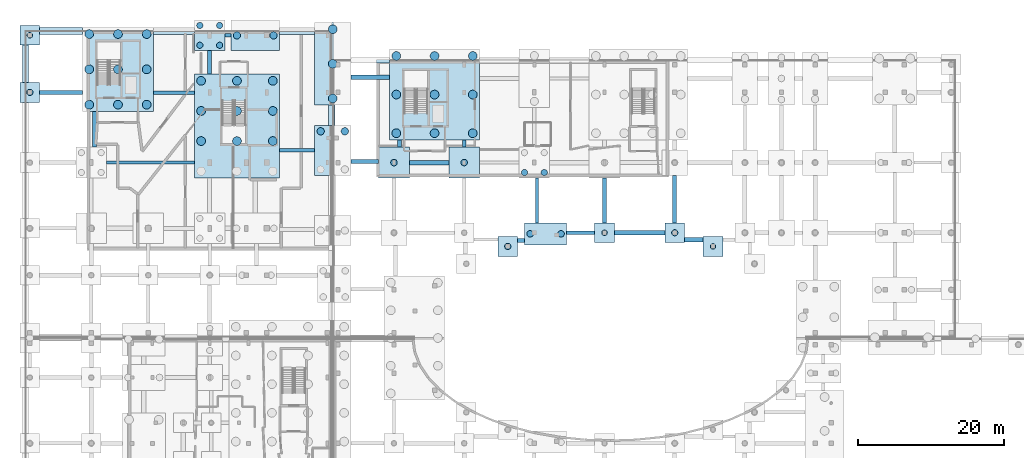
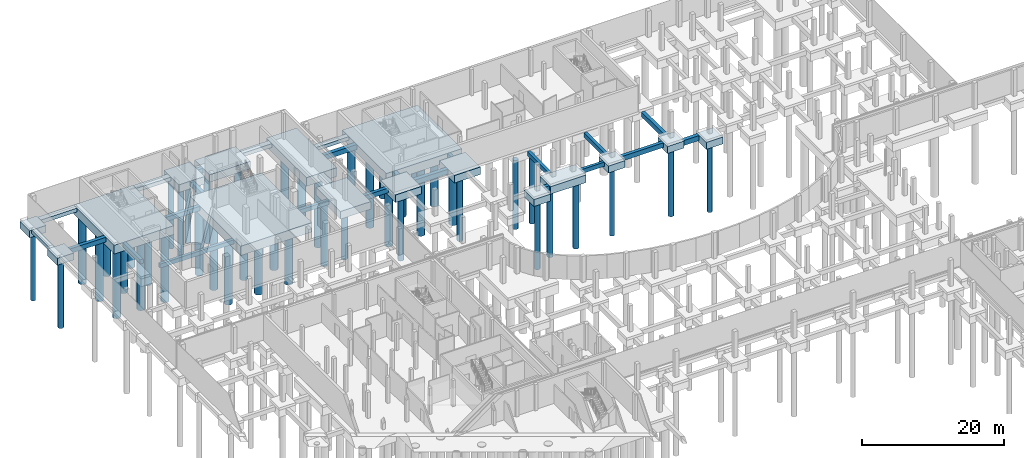
# One storey, part 7 of 40: 50 piles, 41 footings.
"""IFC4 building model written with IfcOpenShell, lengths in metres."""

from ifc_helpers import new_model, si_unit, direction, frame, origin, origin_2d, place, context, subcontext, project, spatial, polyline, circle, outline, extrude, material, material_profile, profile_set, type_object, element, save


model = new_model("IFC4")

# Units and contexts
model_context = context("Model", 3, precision=1e-05, world=origin(), true_north=direction((0.0, 1.0)))
body_context = subcontext(model_context, "Body", "Model", "MODEL_VIEW")
ifc_project = project(units=[si_unit("LENGTHUNIT", "METRE"), si_unit("AREAUNIT", "SQUARE_METRE"), si_unit("VOLUMEUNIT", "CUBIC_METRE"), si_unit("PLANEANGLEUNIT", "RADIAN"), si_unit("MASSUNIT", "GRAM", prefix="KILO")], contexts=[model_context])

# Site, building, storey
site_placement = place(None, origin())
site = spatial("IfcSite", under=ifc_project, at=site_placement, CompositionType="ELEMENT")
building_placement = place(site_placement, origin())
building = spatial("IfcBuilding", under=site, at=building_placement, Name="Mzevani Central Library", CompositionType="ELEMENT")
storey_placement = place(building_placement, frame((0.0, 0.0, -4.5)))
storey = spatial("IfcBuildingStorey", under=building, at=storey_placement, Name="B1", CompositionType="ELEMENT", Elevation=-4.5)

# Piles
ifc_material = material(Name="Concrete C40/50", Category="concrete")
ifc_material_profile_1 = material_profile(ifc_material, circle(Radius=0.5, at=origin_2d()), Name="PILE D1000")
ifc_profile_set_1 = profile_set([ifc_material_profile_1], Name="Concrete C40/50")
pile_type_1 = type_object("IfcPileType", Name="Bored Pile D1000", PredefinedType="BORED", material=ifc_profile_set_1)
for number, where, z_axis, x_axis, name in (
    (1, (32.919921875, 117.39990234375, -1.6201171875), (0.0, 0.0, -1.0), (1.0, 0.0, 0.0), "B1 Bored Pile P-04 (139)"),
    (2, (37.929931640625, 117.39990234375, -1.6201171875), (0.0, 0.0, -1.0), (1.0, 0.0, 0.0), "B1 Bored Pile P-04 (140)"),
    (3, (44.3701171875, 104.280029296875, -1.6201171875), (0.0, 0.0, -1.0), (1.0, 0.0, 0.0), "B1 Bored Pile P-04 (148)"),
    (4, (47.679931640625, 104.280029296875, -1.6201171875), (0.0, 0.0, -1.0), (1.0, 0.0, 0.0), "B1 Bored Pile P-04 (150)"),
):
    element("IfcPile", number, at=place(storey_placement, frame(where, z_axis=z_axis, x_axis=x_axis)), inside=storey, type_object=pile_type_1, Name=name, PredefinedType="BORED", context=body_context, shape_type="SweptSolid", body=[
        extrude(circle(Radius=0.5, at=origin_2d()), origin(), (0.0, 0.0, 1.0), 11.8798828125),
    ])
ifc_material_profile_2 = material_profile(ifc_material, circle(Radius=0.60009765625, at=origin_2d()), Name="PILE D1200")
ifc_profile_set_2 = profile_set([ifc_material_profile_2], Name="Concrete C40/50")
pile_type_2 = type_object("IfcPileType", Name="Bored Pile D1200", PredefinedType="BORED", material=ifc_profile_set_2)
for number, where, z_axis, x_axis, name in (
    (5, (28.02001953125, 102.93994140625, -1.919921875), (0.0, 0.0, -1.0), (1.0, 0.0, 0.0), "B1 Bored Pile P-06 (120)"),
    (6, (28.02001953125, 107.06005859375, -1.919921875), (0.0, 0.0, -1.0), (1.0, 0.0, 0.0), "B1 Bored Pile P-06 (121)"),
    (7, (28.02001953125, 111.179931640625, -1.919921875), (0.0, 0.0, -1.0), (1.0, 0.0, 0.0), "B1 Bored Pile P-06 (122)"),
    (8, (32.925048828125, 102.93994140625, -1.919921875), (0.0, 0.0, -1.0), (1.0, 0.0, 0.0), "B1 Bored Pile P-06 (124)"),
    (9, (32.925048828125, 107.06005859375, -1.919921875), (0.0, 0.0, -1.0), (1.0, 0.0, 0.0), "B1 Bored Pile P-06 (125)"),
    (10, (32.925048828125, 111.179931640625, -1.919921875), (0.0, 0.0, -1.0), (1.0, 0.0, 0.0), "B1 Bored Pile P-06 (126)"),
    (11, (37.830078125, 102.93994140625, -1.919921875), (0.0, 0.0, -1.0), (1.0, 0.0, 0.0), "B1 Bored Pile P-06 (128)"),
    (12, (37.830078125, 107.06005859375, -1.919921875), (0.0, 0.0, -1.0), (1.0, 0.0, 0.0), "B1 Bored Pile P-06 (129)"),
    (13, (37.830078125, 111.179931640625, -1.919921875), (0.0, 0.0, -1.0), (1.0, 0.0, 0.0), "B1 Bored Pile P-06 (130)"),
):
    element("IfcPile", number, at=place(storey_placement, frame(where, z_axis=z_axis, x_axis=x_axis)), inside=storey, type_object=pile_type_2, Name=name, PredefinedType="BORED", context=body_context, shape_type="SweptSolid", body=[
        extrude(circle(Radius=0.60009765625, at=origin_2d()), origin(), (0.0, 0.0, 1.0), 11.580078125),
    ])
for number, where, z_axis, x_axis, name in (
    (14, (46.02490234375, 108.77001953125, -1.820068359375), (0.0, 0.0, -1.0), (1.0, 0.0, 0.0), "B1 Bored Pile P-06 (151)"),
    (15, (46.02490234375, 113.5, -1.820068359375), (0.0, 0.0, -1.0), (1.0, 0.0, 0.0), "B1 Bored Pile P-06 (152)"),
    (16, (46.02490234375, 118.22998046875, -1.820068359375), (0.0, 0.0, -1.0), (1.0, 0.0, 0.0), "B1 Bored Pile P-06 (153)"),
    (17, (54.719970703125, 104.02001953125, -1.820068359375), (0.0, 0.0, -1.0), (1.0, 0.0, 0.0), "B1 Bored Pile P-06 (158)"),
    (18, (54.719970703125, 109.300048828125, -1.820068359375), (0.0, 0.0, -1.0), (1.0, 0.0, 0.0), "B1 Bored Pile P-06 (159)"),
    (19, (54.719970703125, 114.580078125, -1.820068359375), (0.0, 0.0, -1.0), (1.0, 0.0, 0.0), "B1 Bored Pile P-06 (160)"),
    (20, (59.949951171875, 104.02001953125, -1.820068359375), (0.0, 0.0, -1.0), (1.0, 0.0, 0.0), "B1 Bored Pile P-06 (161)"),
    (21, (59.949951171875, 109.300048828125, -1.820068359375), (0.0, 0.0, -1.0), (1.0, 0.0, 0.0), "B1 Bored Pile P-06 (162)"),
    (22, (59.949951171875, 114.580078125, -1.820068359375), (0.0, 0.0, -1.0), (1.0, 0.0, 0.0), "B1 Bored Pile P-06 (163)"),
    (23, (65.179931640625, 104.02001953125, -1.820068359375), (0.0, 0.0, -1.0), (1.0, 0.0, 0.0), "B1 Bored Pile P-06 (164)"),
    (24, (65.179931640625, 109.300048828125, -1.820068359375), (0.0, 0.0, -1.0), (1.0, 0.0, 0.0), "B1 Bored Pile P-06 (165)"),
    (25, (65.179931640625, 114.580078125, -1.820068359375), (0.0, 0.0, -1.0), (1.0, 0.0, 0.0), "B1 Bored Pile P-06 (166)"),
    (26, (12.719970703125, 107.919921875, -1.820068359375), (0.0, 0.0, -1.0), (1.0, 0.0, 0.0), "B1 Bored Pile P-06 (358)"),
    (27, (12.719970703125, 112.75, -1.820068359375), (0.0, 0.0, -1.0), (1.0, 0.0, 0.0), "B1 Bored Pile P-06 (359)"),
    (28, (12.719970703125, 117.580078125, -1.820068359375), (0.0, 0.0, -1.0), (1.0, 0.0, 0.0), "B1 Bored Pile P-06 (360)"),
    (29, (16.64990234375, 107.919921875, -1.820068359375), (0.0, 0.0, -1.0), (1.0, 0.0, 0.0), "B1 Bored Pile P-06 (361)"),
    (30, (16.64990234375, 112.75, -1.820068359375), (0.0, 0.0, -1.0), (1.0, 0.0, 0.0), "B1 Bored Pile P-06 (362)"),
    (31, (16.64990234375, 117.580078125, -1.820068359375), (0.0, 0.0, -1.0), (1.0, 0.0, 0.0), "B1 Bored Pile P-06 (363)"),
    (32, (20.580078125, 107.919921875, -1.820068359375), (0.0, 0.0, -1.0), (1.0, 0.0, 0.0), "B1 Bored Pile P-06 (364)"),
    (33, (20.580078125, 112.75, -1.820068359375), (0.0, 0.0, -1.0), (1.0, 0.0, 0.0), "B1 Bored Pile P-06 (365)"),
    (34, (20.580078125, 117.580078125, -1.820068359375), (0.0, 0.0, -1.0), (1.0, 0.0, 0.0), "B1 Bored Pile P-06 (366)"),
):
    element("IfcPile", number, at=place(storey_placement, frame(where, z_axis=z_axis, x_axis=x_axis)), inside=storey, type_object=pile_type_2, Name=name, PredefinedType="BORED", context=body_context, shape_type="SweptSolid", body=[
        extrude(circle(Radius=0.60009765625, at=origin_2d()), origin(), (0.0, 0.0, 1.0), 11.679931640625),
    ])
ifc_material_profile_3 = material_profile(ifc_material, circle(Radius=0.375, at=origin_2d()), Name="PILE D750")
ifc_profile_set_3 = profile_set([ifc_material_profile_3], Name="Concrete C40/50")
pile_type_3 = type_object("IfcPileType", Name="Bored Pile D750", PredefinedType="BORED", material=ifc_profile_set_3)
for number, where, z_axis, x_axis, name in (
    (35, (4.60009765625, 117.39990234375, -1.52001953125), (0.0, 0.0, -1.0), (1.0, 0.0, 0.0), "B1 Bored Pile P-01 (100)"),
    (36, (83.199951171875, 90.39990234375, -1.52001953125), (0.0, 0.0, -1.0), (1.0, 0.0, 0.0), "B1 Bored Pile P-01 (175)"),
    (37, (98.033935546875, 88.528076171875, -1.52001953125), (0.0, 0.0, -1.0), (1.0, 0.0, 0.0), "B1 Bored Pile P-01 (220)"),
):
    element("IfcPile", number, at=place(storey_placement, frame(where, z_axis=z_axis, x_axis=x_axis)), inside=storey, type_object=pile_type_3, Name=name, PredefinedType="BORED", context=body_context, shape_type="SweptSolid", body=[
        extrude(circle(Radius=0.375, at=origin_2d()), origin(), (0.0, 0.0, 1.0), 11.97998046875),
    ])
ifc_material_profile_4 = material_profile(ifc_material, circle(Radius=0.425048828125, at=origin_2d()), Name="PILE D850")
ifc_profile_set_4 = profile_set([ifc_material_profile_4], Name="Concrete C40/50")
pile_type_4 = type_object("IfcPileType", Name="Bored Pile D850", PredefinedType="BORED", material=ifc_profile_set_4)
pile_placement = place(storey_placement, frame((4.60009765625, 109.60009765625, -1.52001953125), z_axis=(0.0, 0.0, -1.0), x_axis=(1.0, 0.0, 0.0)))
element("IfcPile", 38, at=pile_placement, inside=storey, type_object=pile_type_4, Name="B1 Bored Pile P-02 (99)", PredefinedType="BORED", context=body_context, shape_type="SweptSolid", body=[
    extrude(circle(Radius=0.425048828125, at=origin_2d()), origin(), (0.0, 0.0, 1.0), 11.97998046875),
])
for number, where, z_axis, x_axis, name in (
    (39, (27.844970703125, 116.044921875, -1.6201171875), (0.0, 0.0, -1.0), (1.0, 0.0, 0.0), "B1 Bored Pile P-02 (131)"),
    (40, (27.844970703125, 118.7548828125, -1.6201171875), (0.0, 0.0, -1.0), (1.0, 0.0, 0.0), "B1 Bored Pile P-02 (132)"),
    (41, (30.554931640625, 116.044921875, -1.6201171875), (0.0, 0.0, -1.0), (1.0, 0.0, 0.0), "B1 Bored Pile P-02 (133)"),
    (42, (30.554931640625, 118.7548828125, -1.6201171875), (0.0, 0.0, -1.0), (1.0, 0.0, 0.0), "B1 Bored Pile P-02 (134)"),
    (43, (72.2451171875, 98.64501953125, -1.6201171875), (0.0, 0.0, -1.0), (1.0, 0.0, 0.0), "B1 Bored Pile P-02 (169)"),
    (44, (74.955078125, 98.64501953125, -1.6201171875), (0.0, 0.0, -1.0), (1.0, 0.0, 0.0), "B1 Bored Pile P-02 (171)"),
):
    element("IfcPile", number, at=place(storey_placement, frame(where, z_axis=z_axis, x_axis=x_axis)), inside=storey, type_object=pile_type_4, Name=name, PredefinedType="BORED", context=body_context, shape_type="SweptSolid", body=[
        extrude(circle(Radius=0.425048828125, at=origin_2d()), origin(), (0.0, 0.0, 1.0), 11.8798828125),
    ])
for number, where, z_axis, x_axis, name in (
    (45, (92.800048828125, 90.39990234375, -1.52001953125), (0.0, 0.0, -1.0), (1.0, 0.0, 0.0), "B1 Bored Pile P-02 (189)"),
    (46, (69.966064453125, 88.528076171875, -1.52001953125), (0.0, 0.0, -1.0), (1.0, 0.0, 0.0), "B1 Bored Pile P-02 (221)"),
):
    element("IfcPile", number, at=place(storey_placement, frame(where, z_axis=z_axis, x_axis=x_axis)), inside=storey, type_object=pile_type_4, Name=name, PredefinedType="BORED", context=body_context, shape_type="SweptSolid", body=[
        extrude(circle(Radius=0.425048828125, at=origin_2d()), origin(), (0.0, 0.0, 1.0), 11.97998046875),
    ])
ifc_material_profile_5 = material_profile(ifc_material, circle(Radius=0.449951171875, at=origin_2d()), Name="PILE D900")
ifc_profile_set_5 = profile_set([ifc_material_profile_5], Name="Concrete C40/50")
pile_type_5 = type_object("IfcPileType", Name="Bored Pile D900", PredefinedType="BORED", material=ifc_profile_set_5)
for number, where, z_axis, x_axis, name in (
    (47, (54.39990234375, 100.0, -1.6201171875), (0.0, 0.0, -1.0), (1.0, 0.0, 0.0), "B1 Bored Pile P-03 (155)"),
    (48, (64.0, 100.0, -1.6201171875), (0.0, 0.0, -1.0), (1.0, 0.0, 0.0), "B1 Bored Pile P-03 (157)"),
    (49, (73.02001953125, 90.248046875, -1.6201171875), (0.0, 0.0, -1.0), (1.0, 0.0, 0.0), "B1 Bored Pile P-03 (167)"),
    (50, (77.251953125, 90.248046875, -1.6201171875), (0.0, 0.0, -1.0), (1.0, 0.0, 0.0), "B1 Bored Pile P-03 (168)"),
):
    element("IfcPile", number, at=place(storey_placement, frame(where, z_axis=z_axis, x_axis=x_axis)), inside=storey, type_object=pile_type_5, Name=name, PredefinedType="BORED", context=body_context, shape_type="SweptSolid", body=[
        extrude(circle(Radius=0.449951171875, at=origin_2d()), origin(), (0.0, 0.0, 1.0), 11.8798828125),
    ])

# Footings
footing_type_1 = type_object("IfcFootingType", Name="Ground Tie Beam RC 450x700", PredefinedType="FOOTING_BEAM", material=ifc_material)
footing_1_placement = place(storey_placement, frame((0.0, 0.0, -1.1201171875)))
element("IfcFooting", 51, at=footing_1_placement, inside=storey, type_object=footing_type_1, Name="MAT Ground Tie Beam GB-01 (9)", PredefinedType="FOOTING_BEAM", context=body_context, shape_type="SweptSolid", body=[
    extrude(outline(polyline([(15.10009765625, 99.77490234375), (27.10009765625, 99.77490234375), (27.10009765625, 100.22509765625), (15.10009765625, 100.22509765625), (15.10009765625, 99.77490234375)])), origin(), (0.0, 0.0, 1.0), 0.7001953125),
])
footing_2_placement = place(storey_placement, frame((0.0, 0.0, -1.1201171875)))
element("IfcFooting", 52, at=footing_2_placement, inside=storey, type_object=footing_type_1, Name="MAT Ground Tie Beam GB-01 (25)", PredefinedType="FOOTING_BEAM", context=body_context, shape_type="SweptSolid", body=[
    extrude(outline(polyline([(38.75, 101.449951171875), (43.550048828125, 101.449951171875), (43.550048828125, 101.89990234375), (38.75, 101.89990234375), (38.75, 101.449951171875)])), origin(), (0.0, 0.0, 1.0), 0.7001953125),
])
footing_3_placement = place(storey_placement, frame((0.0, 0.0, -1.1201171875)))
element("IfcFooting", 53, at=footing_3_placement, inside=storey, type_object=footing_type_1, Name="MAT Ground Tie Beam GB-01 (61)", PredefinedType="FOOTING_BEAM", context=body_context, shape_type="SweptSolid", body=[
    extrude(outline(polyline([(78.02197265625, 90.175048828125), (81.85009765625, 90.175048828125), (81.85009765625, 90.625), (78.02197265625, 90.625), (78.02197265625, 90.175048828125)])), origin(), (0.0, 0.0, 1.0), 0.7001953125),
])
footing_4_placement = place(storey_placement, frame((0.0, 0.0, -1.1201171875)))
element("IfcFooting", 54, at=footing_4_placement, inside=storey, type_object=footing_type_1, Name="MAT Ground Tie Beam GB-01 (201)", PredefinedType="FOOTING_BEAM", context=body_context, shape_type="SweptSolid", body=[
    extrude(outline(polyline([(73.75, 91.75), (74.199951171875, 91.75), (74.199951171875, 97.89990234375), (73.75, 97.89990234375), (73.75, 91.75)])), origin(), (0.0, 0.0, 1.0), 0.7001953125),
])
footing_5_placement = place(storey_placement, frame((0.0, 0.0, -1.1201171875)))
element("IfcFooting", 55, at=footing_5_placement, inside=storey, type_object=footing_type_1, Name="MAT Ground Tie Beam GB-01 (213)", PredefinedType="FOOTING_BEAM", context=body_context, shape_type="SweptSolid", body=[
    extrude(outline(polyline([(63.77490234375, 102.10009765625), (64.22509765625, 102.10009765625), (64.22509765625, 103.10009765625), (63.77490234375, 103.10009765625), (63.77490234375, 102.10009765625)])), origin(), (0.0, 0.0, 1.0), 0.7001953125),
])
footing_type_2 = type_object("IfcFootingType", Name="Ground Tie Beam RC 500x750", PredefinedType="FOOTING_BEAM", material=ifc_material)
footing_6_placement = place(storey_placement, frame((0.0, 0.0, -1.169921875)))
element("IfcFooting", 56, at=footing_6_placement, inside=storey, type_object=footing_type_2, Name="MAT Ground Tie Beam GB-02 (14)", PredefinedType="FOOTING_BEAM", context=body_context, shape_type="SweptSolid", body=[
    extrude(outline(polyline([(21.5, 109.300048828125), (27.10009765625, 109.300048828125), (27.10009765625, 109.800048828125), (21.5, 109.800048828125), (21.5, 109.300048828125)])), origin(), (0.0, 0.0, 1.0), 0.75),
])
footing_7_placement = place(storey_placement, frame((0.0, 0.0, -1.169921875)))
element("IfcFooting", 57, at=footing_7_placement, inside=storey, type_object=footing_type_2, Name="MAT Ground Tie Beam GB-02 (26)", PredefinedType="FOOTING_BEAM", context=body_context, shape_type="SweptSolid", body=[
    extrude(outline(polyline([(31.300048828125, 117.14990234375), (32.10009765625, 117.14990234375), (32.10009765625, 117.64990234375), (31.300048828125, 117.64990234375), (31.300048828125, 117.14990234375)])), origin(), (0.0, 0.0, 1.0), 0.75),
])
footing_8_placement = place(storey_placement, frame((0.0, 0.0, -1.169921875)))
element("IfcFooting", 58, at=footing_8_placement, inside=storey, type_object=footing_type_2, Name="MAT Ground Tie Beam GB-02 (206)", PredefinedType="FOOTING_BEAM", context=body_context, shape_type="SweptSolid", body=[
    extrude(outline(polyline([(82.949951171875, 91.75), (83.449951171875, 91.75), (83.449951171875, 97.89990234375), (82.949951171875, 97.89990234375), (82.949951171875, 91.75)])), origin(), (0.0, 0.0, 1.0), 0.75),
])
footing_9_placement = place(storey_placement, frame((0.0, 0.0, -1.169921875)))
element("IfcFooting", 59, at=footing_9_placement, inside=storey, type_object=footing_type_2, Name="MAT Ground Tie Beam GB-02 (210)", PredefinedType="FOOTING_BEAM", context=body_context, shape_type="SweptSolid", body=[
    extrude(outline(polyline([(13.199951171875, 102.10009765625), (13.699951171875, 102.10009765625), (13.699951171875, 107.0), (13.199951171875, 107.0), (13.199951171875, 102.10009765625)])), origin(), (0.0, 0.0, 1.0), 0.75),
])
footing_type_3 = type_object("IfcFootingType", Name="Ground Tie Beam RC 550x800", PredefinedType="FOOTING_BEAM", material=ifc_material)
footing_10_placement = place(storey_placement, frame((0.0, 0.0, -1.219970703125)))
element("IfcFooting", 60, at=footing_10_placement, inside=storey, type_object=footing_type_3, Name="MAT Ground Tie Beam GB-03 (7)", PredefinedType="FOOTING_BEAM", context=body_context, shape_type="SweptSolid", body=[
    extrude(outline(polyline([(5.949951171875, 109.324951171875), (11.800048828125, 109.324951171875), (11.800048828125, 109.875), (5.949951171875, 109.875), (5.949951171875, 109.324951171875)])), origin(), (0.0, 0.0, 1.0), 0.800048828125),
])
footing_11_placement = place(storey_placement, frame((0.0, 0.0, -1.219970703125)))
element("IfcFooting", 61, at=footing_11_placement, inside=storey, type_object=footing_type_3, Name="MAT Ground Tie Beam GB-03 (39)", PredefinedType="FOOTING_BEAM", context=body_context, shape_type="SweptSolid", body=[
    extrude(outline(polyline([(48.5, 99.89990234375), (52.300048828125, 99.89990234375), (52.300048828125, 100.449951171875), (48.5, 100.449951171875), (48.5, 99.89990234375)])), origin(), (0.0, 0.0, 1.0), 0.800048828125),
])
footing_12_placement = place(storey_placement, frame((0.0, 0.0, -1.219970703125)))
element("IfcFooting", 62, at=footing_12_placement, inside=storey, type_object=footing_type_3, Name="MAT Ground Tie Beam GB-03 (55)", PredefinedType="FOOTING_BEAM", context=body_context, shape_type="SweptSolid", body=[
    extrude(outline(polyline([(71.31591796875, 89.037109375), (72.25, 89.037109375), (72.25, 89.5869140625), (71.31591796875, 89.5869140625), (71.31591796875, 89.037109375)])), origin(), (0.0, 0.0, 1.0), 0.800048828125),
])
footing_13_placement = place(storey_placement, frame((0.0, 0.0, -1.219970703125)))
element("IfcFooting", 63, at=footing_13_placement, inside=storey, type_object=footing_type_3, Name="MAT Ground Tie Beam GB-03 (67)", PredefinedType="FOOTING_BEAM", context=body_context, shape_type="SweptSolid", body=[
    extrude(outline(polyline([(84.550048828125, 90.125), (91.449951171875, 90.125), (91.449951171875, 90.675048828125), (84.550048828125, 90.675048828125), (84.550048828125, 90.125)])), origin(), (0.0, 0.0, 1.0), 0.800048828125),
])
footing_14_placement = place(storey_placement, frame((0.0, 0.0, -1.219970703125)))
element("IfcFooting", 64, at=footing_14_placement, inside=storey, type_object=footing_type_3, Name="MAT Ground Tie Beam GB-03 (207)", PredefinedType="FOOTING_BEAM", context=body_context, shape_type="SweptSolid", body=[
    extrude(outline(polyline([(92.52490234375, 91.75), (93.074951171875, 91.75), (93.074951171875, 98.25), (92.52490234375, 98.25), (92.52490234375, 91.75)])), origin(), (0.0, 0.0, 1.0), 0.800048828125),
])
footing_15_placement = place(storey_placement, frame((0.0, 0.0, -1.219970703125)))
element("IfcFooting", 65, at=footing_15_placement, inside=storey, type_object=footing_type_3, Name="MAT Ground Tie Beam GB-03 (211)", PredefinedType="FOOTING_BEAM", context=body_context, shape_type="SweptSolid", body=[
    extrude(outline(polyline([(28.925048828125, 112.10009765625), (29.47509765625, 112.10009765625), (29.47509765625, 115.300048828125), (28.925048828125, 115.300048828125), (28.925048828125, 112.10009765625)])), origin(), (0.0, 0.0, 1.0), 0.800048828125),
])
footing_type_4 = type_object("IfcFootingType", Name="Ground Tie Beam RC 600x850", PredefinedType="FOOTING_BEAM", material=ifc_material)
footing_16_placement = place(storey_placement, frame((0.0, 0.0, -1.27001953125)))
element("IfcFooting", 66, at=footing_16_placement, inside=storey, type_object=footing_type_4, Name="MAT Ground Tie Beam GB-04 (40)", PredefinedType="FOOTING_BEAM", context=body_context, shape_type="SweptSolid", body=[
    extrude(outline(polyline([(48.5, 111.375), (53.800048828125, 111.375), (53.800048828125, 111.97509765625), (48.5, 111.97509765625), (48.5, 111.375)])), origin(), (0.0, 0.0, 1.0), 0.85009765625),
])
footing_17_placement = place(storey_placement, frame((0.0, 0.0, -1.27001953125)))
element("IfcFooting", 67, at=footing_17_placement, inside=storey, type_object=footing_type_4, Name="MAT Ground Tie Beam GB-04 (44)", PredefinedType="FOOTING_BEAM", context=body_context, shape_type="SweptSolid", body=[
    extrude(outline(polyline([(56.5, 99.699951171875), (61.89990234375, 99.699951171875), (61.89990234375, 100.300048828125), (56.5, 100.300048828125), (56.5, 99.699951171875)])), origin(), (0.0, 0.0, 1.0), 0.85009765625),
])
footing_18_placement = place(storey_placement, frame((0.0, 0.0, -1.27001953125)))
element("IfcFooting", 68, at=footing_18_placement, inside=storey, type_object=footing_type_4, Name="MAT Ground Tie Beam GB-04 (72)", PredefinedType="FOOTING_BEAM", context=body_context, shape_type="SweptSolid", body=[
    extrude(outline(polyline([(94.14990234375, 89.1640625), (96.68408203125, 89.1640625), (96.68408203125, 89.763916015625), (94.14990234375, 89.763916015625), (94.14990234375, 89.1640625)])), origin(), (0.0, 0.0, 1.0), 0.85009765625),
])
footing_19_placement = place(storey_placement, frame((0.0, 0.0, -1.27001953125)))
element("IfcFooting", 69, at=footing_19_placement, inside=storey, type_object=footing_type_4, Name="MAT Ground Tie Beam GB-04 (212)", PredefinedType="FOOTING_BEAM", context=body_context, shape_type="SweptSolid", body=[
    extrude(outline(polyline([(54.85009765625, 102.10009765625), (55.449951171875, 102.10009765625), (55.449951171875, 103.10009765625), (54.85009765625, 103.10009765625), (54.85009765625, 102.10009765625)])), origin(), (0.0, 0.0, 1.0), 0.85009765625),
])
footing_type_5 = type_object("IfcFootingType", Name="Perimeter Strip Footing RC 800x600", PredefinedType="STRIP_FOOTING", material=ifc_material)
footing_20_placement = place(storey_placement, frame((0.0, 0.0, -1.02001953125)))
element("IfcFooting", 70, at=footing_20_placement, inside=storey, type_object=footing_type_5, Name="B1 Perimeter Strip Footing SF-01 (31)", PredefinedType="STRIP_FOOTING", context=body_context, shape_type="SweptSolid", body=[
    extrude(outline(polyline([(4.39990234375, 116.050048828125), (4.39990234375, 110.949951171875), (3.60009765625, 110.949951171875), (3.60009765625, 116.050048828125), (4.39990234375, 116.050048828125)])), origin(), (0.0, 0.0, 1.0), 0.60009765625),
])
footing_21_placement = place(storey_placement, frame((0.0, 0.0, -1.02001953125)))
element("IfcFooting", 71, at=footing_21_placement, inside=storey, type_object=footing_type_5, Name="B1 Perimeter Strip Footing SF-01 (40)", PredefinedType="STRIP_FOOTING", context=body_context, shape_type="SweptSolid", body=[
    extrude(outline(polyline([(48.5, 114.39990234375), (53.800048828125, 114.39990234375), (53.800048828125, 113.60009765625), (48.5, 113.60009765625), (48.5, 114.39990234375)])), origin(), (0.0, 0.0, 1.0), 0.60009765625),
])
footing_type_6 = type_object("IfcFootingType", Name="Perimeter Strip Footing RC 900x650", PredefinedType="STRIP_FOOTING", material=ifc_material)
footing_22_placement = place(storey_placement, frame((0.0, 0.0, -1.070068359375)))
element("IfcFooting", 72, at=footing_22_placement, inside=storey, type_object=footing_type_6, Name="B1 Perimeter Strip Footing SF-02 (20)", PredefinedType="STRIP_FOOTING", context=body_context, shape_type="SweptSolid", body=[
    extrude(outline(polyline([(45.449951171875, 105.10009765625), (45.449951171875, 107.85009765625), (46.35009765625, 107.85009765625), (46.35009765625, 105.10009765625), (45.449951171875, 105.10009765625)])), origin(), (0.0, 0.0, 1.0), 0.650146484375),
])
footing_23_placement = place(storey_placement, frame((0.0, 0.0, -1.070068359375)))
element("IfcFooting", 73, at=footing_23_placement, inside=storey, type_object=footing_type_6, Name="B1 Perimeter Strip Footing SF-02 (24)", PredefinedType="STRIP_FOOTING", context=body_context, shape_type="SweptSolid", body=[
    extrude(outline(polyline([(11.800048828125, 117.550048828125), (5.949951171875, 117.550048828125), (5.949951171875, 118.449951171875), (11.800048828125, 118.449951171875), (11.800048828125, 117.550048828125)])), origin(), (0.0, 0.0, 1.0), 0.650146484375),
])
footing_24_placement = place(storey_placement, frame((0.0, 0.0, -1.070068359375)))
element("IfcFooting", 74, at=footing_24_placement, inside=storey, type_object=footing_type_6, Name="B1 Perimeter Strip Footing SF-02 (25)", PredefinedType="STRIP_FOOTING", context=body_context, shape_type="SweptSolid", body=[
    extrude(outline(polyline([(27.10009765625, 117.550048828125), (21.5, 117.550048828125), (21.5, 118.449951171875), (27.10009765625, 118.449951171875), (27.10009765625, 117.550048828125)])), origin(), (0.0, 0.0, 1.0), 0.650146484375),
])
footing_25_placement = place(storey_placement, frame((0.0, 0.0, -1.070068359375)))
element("IfcFooting", 75, at=footing_25_placement, inside=storey, type_object=footing_type_6, Name="B1 Perimeter Strip Footing SF-02 (26)", PredefinedType="STRIP_FOOTING", context=body_context, shape_type="SweptSolid", body=[
    extrude(outline(polyline([(43.550048828125, 117.550048828125), (38.75, 117.550048828125), (38.75, 118.449951171875), (43.550048828125, 118.449951171875), (43.550048828125, 117.550048828125)])), origin(), (0.0, 0.0, 1.0), 0.650146484375),
])
footing_type_7 = type_object("IfcFootingType", Name="Pile Cap RC 11300x4950x1500", PredefinedType="PILE_CAP", material=ifc_material)
footing_26_placement = place(storey_placement, frame((0.0, 0.0, -1.919921875)))
element("IfcFooting", 76, at=footing_26_placement, inside=storey, type_object=footing_type_7, Name="B1 Pile Cap PC-25 (71)", PredefinedType="PILE_CAP", context=body_context, shape_type="SweptSolid", body=[
    extrude(outline(polyline([(43.550048828125, 107.85009765625), (48.5, 107.85009765625), (48.5, 119.14990234375), (43.550048828125, 119.14990234375), (43.550048828125, 107.85009765625)])), origin(), (0.0, 0.0, 1.0), 1.5),
])
footing_type_8 = type_object("IfcFootingType", Name="Pile Cap RC 11500x9700x1500", PredefinedType="PILE_CAP", material=ifc_material)
footing_27_placement = place(storey_placement, frame((0.0, 0.0, -1.919921875)))
element("IfcFooting", 77, at=footing_27_placement, inside=storey, type_object=footing_type_8, Name="B1 Pile Cap PC-41 (167)", PredefinedType="PILE_CAP", context=body_context, shape_type="SweptSolid", body=[
    extrude(outline(polyline([(11.800048828125, 107.0), (21.5, 107.0), (21.5, 118.5), (11.800048828125, 118.5), (11.800048828125, 107.0)])), origin(), (0.0, 0.0, 1.0), 1.5),
])
footing_type_9 = type_object("IfcFootingType", Name="Pile Cap RC 12400x12300x1500", PredefinedType="PILE_CAP", material=ifc_material)
footing_28_placement = place(storey_placement, frame((0.0, 0.0, -1.919921875)))
element("IfcFooting", 78, at=footing_28_placement, inside=storey, type_object=footing_type_9, Name="B1 Pile Cap PC-27 (76)", PredefinedType="PILE_CAP", context=body_context, shape_type="SweptSolid", body=[
    extrude(outline(polyline([(53.800048828125, 103.10009765625), (66.10009765625, 103.10009765625), (66.10009765625, 115.5), (53.800048828125, 115.5), (53.800048828125, 103.10009765625)])), origin(), (0.0, 0.0, 1.0), 1.5),
])
footing_type_10 = type_object("IfcFootingType", Name="Pile Cap RC 14200x11650x1600", PredefinedType="PILE_CAP", material=ifc_material)
footing_29_placement = place(storey_placement, frame((0.0, 0.0, -2.02001953125)))
element("IfcFooting", 79, at=footing_29_placement, inside=storey, type_object=footing_type_10, Name="B1 Pile Cap PC-19 (63)", PredefinedType="PILE_CAP", context=body_context, shape_type="SweptSolid", body=[
    extrude(outline(polyline([(27.10009765625, 97.89990234375), (38.75, 97.89990234375), (38.75, 112.10009765625), (27.10009765625, 112.10009765625), (27.10009765625, 97.89990234375)])), origin(), (0.0, 0.0, 1.0), 1.60009765625),
])
footing_type_11 = type_object("IfcFootingType", Name="Pile Cap RC 2700x2700x1200", PredefinedType="PILE_CAP", material=ifc_material)
footing_30_placement = place(storey_placement, frame((0.0, 0.0, -1.6201171875)))
element("IfcFooting", 80, at=footing_30_placement, inside=storey, type_object=footing_type_11, Name="B1 Pile Cap PC-02 (51)", PredefinedType="PILE_CAP", context=body_context, shape_type="SweptSolid", body=[
    extrude(outline(polyline([(3.25, 108.25), (5.949951171875, 108.25), (5.949951171875, 110.949951171875), (3.25, 110.949951171875), (3.25, 108.25)])), origin(), (0.0, 0.0, 1.0), 1.2001953125),
])
footing_31_placement = place(storey_placement, frame((0.0, 0.0, -1.6201171875)))
element("IfcFooting", 81, at=footing_31_placement, inside=storey, type_object=footing_type_11, Name="B1 Pile Cap PC-02 (52)", PredefinedType="PILE_CAP", context=body_context, shape_type="SweptSolid", body=[
    extrude(outline(polyline([(3.25, 116.050048828125), (5.949951171875, 116.050048828125), (5.949951171875, 118.75), (3.25, 118.75), (3.25, 116.050048828125)])), origin(), (0.0, 0.0, 1.0), 1.2001953125),
])
footing_32_placement = place(storey_placement, frame((0.0, 0.0, -1.6201171875)))
element("IfcFooting", 82, at=footing_32_placement, inside=storey, type_object=footing_type_11, Name="B1 Pile Cap PC-02 (80)", PredefinedType="PILE_CAP", context=body_context, shape_type="SweptSolid", body=[
    extrude(outline(polyline([(81.85009765625, 89.050048828125), (84.550048828125, 89.050048828125), (84.550048828125, 91.75), (81.85009765625, 91.75), (81.85009765625, 89.050048828125)])), origin(), (0.0, 0.0, 1.0), 1.2001953125),
])
footing_33_placement = place(storey_placement, frame((0.0, 0.0, -1.6201171875)))
element("IfcFooting", 83, at=footing_33_placement, inside=storey, type_object=footing_type_11, Name="B1 Pile Cap PC-02 (83)", PredefinedType="PILE_CAP", context=body_context, shape_type="SweptSolid", body=[
    extrude(outline(polyline([(91.449951171875, 89.050048828125), (94.14990234375, 89.050048828125), (94.14990234375, 91.75), (91.449951171875, 91.75), (91.449951171875, 89.050048828125)])), origin(), (0.0, 0.0, 1.0), 1.2001953125),
])
footing_34_placement = place(storey_placement, frame((0.0, 0.0, -1.6201171875)))
element("IfcFooting", 84, at=footing_34_placement, inside=storey, type_object=footing_type_11, Name="B1 Pile Cap PC-02 (104)", PredefinedType="PILE_CAP", context=body_context, shape_type="SweptSolid", body=[
    extrude(outline(polyline([(96.68408203125, 87.177978515625), (99.384033203125, 87.177978515625), (99.384033203125, 89.8779296875), (96.68408203125, 89.8779296875), (96.68408203125, 87.177978515625)])), origin(), (0.0, 0.0, 1.0), 1.2001953125),
])
footing_35_placement = place(storey_placement, frame((0.0, 0.0, -1.6201171875)))
element("IfcFooting", 85, at=footing_35_placement, inside=storey, type_object=footing_type_11, Name="B1 Pile Cap PC-02 (105)", PredefinedType="PILE_CAP", context=body_context, shape_type="SweptSolid", body=[
    extrude(outline(polyline([(68.615966796875, 87.177978515625), (71.31591796875, 87.177978515625), (71.31591796875, 89.8779296875), (68.615966796875, 89.8779296875), (68.615966796875, 87.177978515625)])), origin(), (0.0, 0.0, 1.0), 1.2001953125),
])
footing_type_12 = type_object("IfcFootingType", Name="Pile Cap RC 4200x4200x1300", PredefinedType="PILE_CAP", material=ifc_material)
footing_36_placement = place(storey_placement, frame((0.0, 0.0, -1.719970703125)))
element("IfcFooting", 86, at=footing_36_placement, inside=storey, type_object=footing_type_12, Name="B1 Pile Cap PC-16 (64)", PredefinedType="PILE_CAP", context=body_context, shape_type="SweptSolid", body=[
    extrude(outline(polyline([(27.10009765625, 115.300048828125), (31.300048828125, 115.300048828125), (31.300048828125, 119.5), (27.10009765625, 119.5), (27.10009765625, 115.300048828125)])), origin(), (0.0, 0.0, 1.0), 1.300048828125),
])
footing_37_placement = place(storey_placement, frame((0.0, 0.0, -1.719970703125)))
element("IfcFooting", 87, at=footing_37_placement, inside=storey, type_object=footing_type_12, Name="B1 Pile Cap PC-16 (73)", PredefinedType="PILE_CAP", context=body_context, shape_type="SweptSolid", body=[
    extrude(outline(polyline([(52.300048828125, 97.89990234375), (56.5, 97.89990234375), (56.5, 102.10009765625), (52.300048828125, 102.10009765625), (52.300048828125, 97.89990234375)])), origin(), (0.0, 0.0, 1.0), 1.300048828125),
])
footing_38_placement = place(storey_placement, frame((0.0, 0.0, -1.719970703125)))
element("IfcFooting", 88, at=footing_38_placement, inside=storey, type_object=footing_type_12, Name="B1 Pile Cap PC-16 (75)", PredefinedType="PILE_CAP", context=body_context, shape_type="SweptSolid", body=[
    extrude(outline(polyline([(61.89990234375, 97.89990234375), (66.10009765625, 97.89990234375), (66.10009765625, 102.10009765625), (61.89990234375, 102.10009765625), (61.89990234375, 97.89990234375)])), origin(), (0.0, 0.0, 1.0), 1.300048828125),
])
footing_type_13 = type_object("IfcFootingType", Name="Pile Cap RC 5770x3000x1300", PredefinedType="PILE_CAP", material=ifc_material)
footing_39_placement = place(storey_placement, frame((0.0, 0.0, -1.719970703125)))
element("IfcFooting", 89, at=footing_39_placement, inside=storey, type_object=footing_type_13, Name="B1 Pile Cap PC-04 (77)", PredefinedType="PILE_CAP", context=body_context, shape_type="SweptSolid", body=[
    extrude(outline(polyline([(72.25, 88.74609375), (78.02197265625, 88.74609375), (78.02197265625, 91.75), (72.25, 91.75), (72.25, 88.74609375)])), origin(), (0.0, 0.0, 1.0), 1.300048828125),
])
footing_type_14 = type_object("IfcFootingType", Name="Pile Cap RC 6650x4200x1300", PredefinedType="PILE_CAP", material=ifc_material)
footing_40_placement = place(storey_placement, frame((0.0, 0.0, -1.719970703125)))
element("IfcFooting", 90, at=footing_40_placement, inside=storey, type_object=footing_type_14, Name="B1 Pile Cap PC-21 (67)", PredefinedType="PILE_CAP", context=body_context, shape_type="SweptSolid", body=[
    extrude(outline(polyline([(32.10009765625, 115.300048828125), (38.75, 115.300048828125), (38.75, 119.5), (32.10009765625, 119.5), (32.10009765625, 115.300048828125)])), origin(), (0.0, 0.0, 1.0), 1.300048828125),
])
footing_type_15 = type_object("IfcFootingType", Name="Pile Cap RC 6850x4950x1300", PredefinedType="PILE_CAP", material=ifc_material)
footing_41_placement = place(storey_placement, frame((0.0, 0.0, -1.719970703125)))
element("IfcFooting", 91, at=footing_41_placement, inside=storey, type_object=footing_type_15, Name="B1 Pile Cap PC-24 (70)", PredefinedType="PILE_CAP", context=body_context, shape_type="SweptSolid", body=[
    extrude(outline(polyline([(43.550048828125, 98.25), (48.5, 98.25), (48.5, 105.10009765625), (43.550048828125, 105.10009765625), (43.550048828125, 98.25)])), origin(), (0.0, 0.0, 1.0), 1.300048828125),
])

save(model, "model.ifc")
